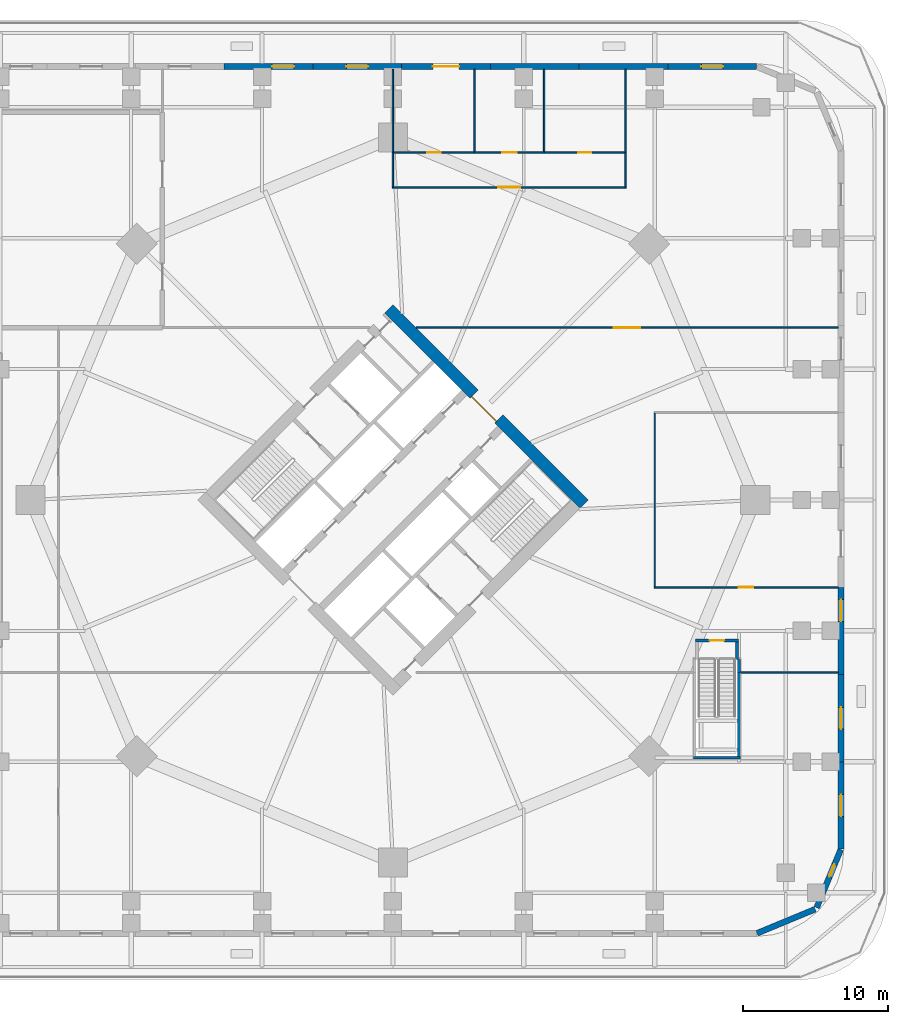
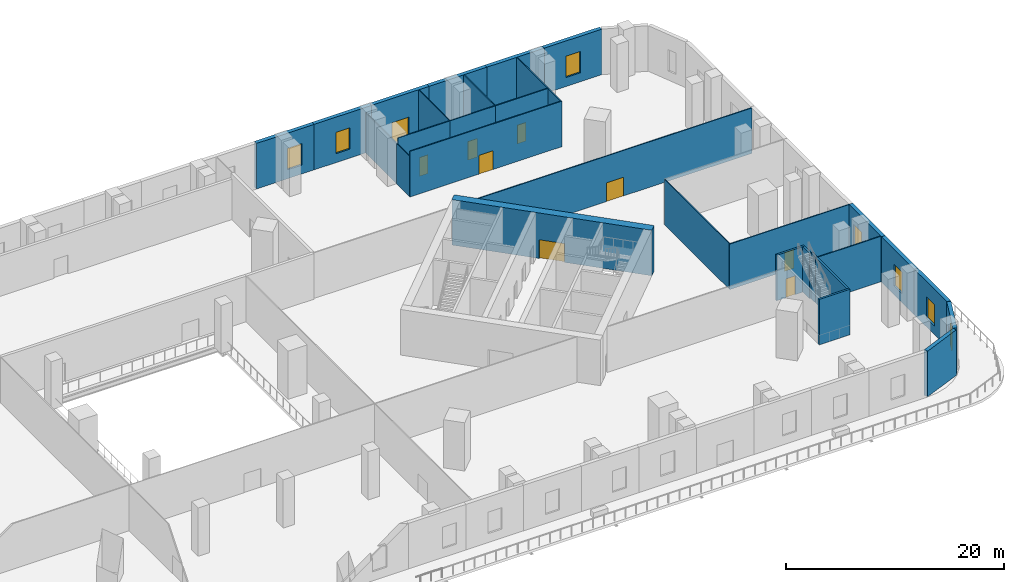
# One storey, part 10 of 19: 31 walls, 9 doors, 7 windows, 16 openings.
"""IFC4 building model written with IfcOpenShell, lengths in metres."""

from ifc_helpers import new_model, si_unit, direction, frame, frame_2d, origin, place, context, subcontext, project, spatial, rectangle, extrude, material, layer, layer_set, type_object, element, fill, save


model = new_model("IFC4")

# Units and contexts
model_context = context("Model", 3, precision=1e-05, world=origin(), true_north=direction((0.0, 1.0)))
body_context = subcontext(model_context, "Body", "Model", "MODEL_VIEW")
ifc_project = project(units=[si_unit("LENGTHUNIT", "METRE"), si_unit("AREAUNIT", "SQUARE_METRE"), si_unit("VOLUMEUNIT", "CUBIC_METRE"), si_unit("PLANEANGLEUNIT", "RADIAN"), si_unit("MASSUNIT", "GRAM", prefix="KILO")], contexts=[model_context])

# Site, building, storey
site_placement = place(None, origin())
site = spatial("IfcSite", under=ifc_project, at=site_placement, CompositionType="ELEMENT")
building_placement = place(site_placement, origin())
building = spatial("IfcBuilding", under=site, at=building_placement, Name="Ogive Gate Towers", CompositionType="ELEMENT")
storey_placement = place(building_placement, frame((0.0, 0.0, 12.60009765625)))
storey = spatial("IfcBuildingStorey", under=building, at=storey_placement, Name="L02", CompositionType="ELEMENT", Elevation=12.60009765625)

# Wall, opening, door
ifc_material_1 = material(Name="Concrete C60/75", Category="concrete")
ifc_layer_1 = layer(ifc_material_1, 0.800048828125)
ifc_layer_set_1 = layer_set([ifc_layer_1], Name="Core wall 800 mm")
wall_type_1 = type_object("IfcWallType", Name="Core wall 800 mm", PredefinedType="SHEAR", material=ifc_layer_set_1)
wall_1_placement = place(storey_placement, frame((49.152099609375, -0.28271484375, 0.0), z_axis=(0.0, 0.0, 1.0), x_axis=(-0.707106781187, 0.707106781187, 0.0)))
wall_1 = element("IfcWall", 1, at=wall_1_placement, inside=storey, type_object=wall_type_1, Name="T2 L02 Core wall 800 mm", PredefinedType="SHEAR", context=body_context, shape_type="SweptSolid", body=[
    extrude(rectangle(XDim=18.999755859375, YDim=0.800048828125, at=frame_2d((9.5, 0.0))), origin(), (0.0, 0.0, 1.0), 5.099853515625),
])
opening_1_placement = place(wall_1_placement, frame((8.300048828125, 0.0, 0.0)))
opening_1 = element("IfcOpeningElement", 2, at=opening_1_placement, cuts=wall_1, Name="Opening KD-T2-L02-02", PredefinedType="OPENING", context=body_context, shape_type="SweptSolid", body=[
    extrude(rectangle(XDim=2.39990234375, YDim=2.10009765625, at=frame_2d((1.199951171875, 1.050048828125))), frame((0.0, 0.41015625, 0.0), z_axis=(0.0, -1.0, 0.0), x_axis=(1.0, 0.0, 0.0)), (0.0, 0.0, 1.0), 0.820068359375),
])
ifc_material_2 = material(Name="Steel fire door", Category="steel")
door_type_1 = type_object("IfcDoorType", Name="Core double door FD60S 2400 x 2100", OperationType="DOUBLE_DOOR_SINGLE_SWING", PredefinedType="DOOR", material=ifc_material_2)
door_1_placement = place(opening_1_placement, origin())
door_1 = element("IfcDoor", 3, at=door_1_placement, inside=storey, type_object=door_type_1, Name="T2 L02 Core door double", OperationType="DOUBLE_DOOR_SINGLE_SWING", OverallHeight=2.10009765625, OverallWidth=2.39990234375, PredefinedType="DOOR", context=body_context, shape_type="SweptSolid", body=[
    extrude(rectangle(XDim=2.39990234375, YDim=2.10009765625, at=frame_2d((1.199951171875, 1.050048828125))), frame((0.0, 0.27490234375, 0.0), z_axis=(0.0, -1.0, 0.0), x_axis=(1.0, 0.0, 0.0)), (0.0, 0.0, 1.0), 0.050048828125),
])
fill(opening_1, door_1)

ifc_material_3 = material(Name="Gypsum board partition")
ifc_layer_2 = layer(ifc_material_3, 0.10009765625)
ifc_layer_set_2 = layer_set([ifc_layer_2], Name="Partition wall 100")
wall_type_2 = type_object("IfcWallType", Name="Partition wall 100", PredefinedType="PARTITIONING", material=ifc_layer_set_2)
wall_2_placement = place(storey_placement, frame((36.050048828125, 23.89990234375, 0.0), z_axis=(0.0, 0.0, 1.0), x_axis=(1.0, 0.0, 0.0)))
wall_2 = element("IfcWall", 4, at=wall_2_placement, inside=storey, type_object=wall_type_2, Name="L02 partition 035", PredefinedType="PARTITIONING", context=body_context, shape_type="SweptSolid", body=[
    extrude(rectangle(XDim=5.550048828125, YDim=0.10009765625, at=frame_2d((2.77490234375, 0.0))), origin(), (0.0, 0.0, 1.0), 5.099853515625),
])
opening_2_placement = place(wall_2_placement, frame((2.324951171875, 0.0, 0.0)))
opening_2 = element("IfcOpeningElement", 5, at=opening_2_placement, cuts=wall_2, Name="Opening PO168", PredefinedType="OPENING", context=body_context, shape_type="SweptSolid", body=[
    extrude(rectangle(XDim=0.89990234375, YDim=2.10009765625, at=frame_2d((0.449951171875, 1.050048828125))), frame((0.0, 0.06005859375, 0.0), z_axis=(0.0, -1.0, 0.0), x_axis=(1.0, 0.0, 0.0)), (0.0, 0.0, 1.0), 0.1201171875),
])
ifc_material_4 = material(Name="Timber door", Category="wood")
door_type_2 = type_object("IfcDoorType", Name="Door 900 x 2100", OperationType="NOTDEFINED", PredefinedType="DOOR", material=ifc_material_4)
door_2_placement = place(opening_2_placement, origin())
door_2 = element("IfcDoor", 6, at=door_2_placement, inside=storey, type_object=door_type_2, Name="Door PO168", OperationType="SINGLE_SWING_RIGHT", OverallHeight=2.10009765625, OverallWidth=0.89990234375, PredefinedType="DOOR", context=body_context, shape_type="SweptSolid", body=[
    extrude(rectangle(XDim=0.89990234375, YDim=2.10009765625, at=frame_2d((0.449951171875, 1.050048828125))), frame((0.0, 0.02490234375, 0.0), z_axis=(0.0, -1.0, 0.0), x_axis=(1.0, 0.0, 0.0)), (0.0, 0.0, 1.0), 0.050048828125),
])
fill(opening_2, door_2)

wall_3_placement = place(storey_placement, frame((41.60009765625, 23.89990234375, 0.0), z_axis=(0.0, 0.0, 1.0), x_axis=(1.0, 0.0, 0.0)))
wall_3 = element("IfcWall", 7, at=wall_3_placement, inside=storey, type_object=wall_type_2, Name="L02 partition 036", PredefinedType="PARTITIONING", context=body_context, shape_type="SweptSolid", body=[
    extrude(rectangle(XDim=4.7998046875, YDim=0.10009765625, at=frame_2d((2.39990234375, 0.0))), origin(), (0.0, 0.0, 1.0), 5.099853515625),
])
opening_3_placement = place(wall_3_placement, frame((1.89990234375, 0.0, 0.0)))
opening_3 = element("IfcOpeningElement", 8, at=opening_3_placement, cuts=wall_3, Name="Opening PO169", PredefinedType="OPENING", context=body_context, shape_type="SweptSolid", body=[
    extrude(rectangle(XDim=1.0, YDim=2.10009765625, at=frame_2d((0.5, 1.050048828125))), frame((0.0, 0.06005859375, 0.0), z_axis=(0.0, -1.0, 0.0), x_axis=(1.0, 0.0, 0.0)), (0.0, 0.0, 1.0), 0.1201171875),
])
door_type_3 = type_object("IfcDoorType", Name="Door 1000 x 2100", OperationType="NOTDEFINED", PredefinedType="DOOR", material=ifc_material_4)
door_3_placement = place(opening_3_placement, origin())
door_3 = element("IfcDoor", 9, at=door_3_placement, inside=storey, type_object=door_type_3, Name="Door PO169", OperationType="SINGLE_SWING_LEFT", OverallHeight=2.10009765625, OverallWidth=1.0, PredefinedType="DOOR", context=body_context, shape_type="SweptSolid", body=[
    extrude(rectangle(XDim=1.0, YDim=2.10009765625, at=frame_2d((0.5, 1.050048828125))), frame((0.0, 0.02490234375, 0.0), z_axis=(0.0, -1.0, 0.0), x_axis=(1.0, 0.0, 0.0)), (0.0, 0.0, 1.0), 0.050048828125),
])
fill(opening_3, door_3)

wall_4_placement = place(storey_placement, frame((46.39990234375, 23.89990234375, 0.0), z_axis=(0.0, 0.0, 1.0), x_axis=(1.0, 0.0, 0.0)))
wall_4 = element("IfcWall", 10, at=wall_4_placement, inside=storey, type_object=wall_type_2, Name="L02 partition 037", PredefinedType="PARTITIONING", context=body_context, shape_type="SweptSolid", body=[
    extrude(rectangle(XDim=5.550048828125, YDim=0.10009765625, at=frame_2d((2.77490234375, 0.0))), origin(), (0.0, 0.0, 1.0), 5.099853515625),
])
opening_4_placement = place(wall_4_placement, frame((2.324951171875, 0.0, 0.0)))
opening_4 = element("IfcOpeningElement", 11, at=opening_4_placement, cuts=wall_4, Name="Opening PO170", PredefinedType="OPENING", context=body_context, shape_type="SweptSolid", body=[
    extrude(rectangle(XDim=0.89990234375, YDim=2.10009765625, at=frame_2d((0.449951171875, 1.050048828125))), frame((0.0, 0.06005859375, 0.0), z_axis=(0.0, -1.0, 0.0), x_axis=(1.0, 0.0, 0.0)), (0.0, 0.0, 1.0), 0.1201171875),
])
door_4_placement = place(opening_4_placement, origin())
door_4 = element("IfcDoor", 12, at=door_4_placement, inside=storey, type_object=door_type_2, Name="Door PO170", OperationType="SINGLE_SWING_RIGHT", OverallHeight=2.10009765625, OverallWidth=0.89990234375, PredefinedType="DOOR", context=body_context, shape_type="SweptSolid", body=[
    extrude(rectangle(XDim=0.89990234375, YDim=2.10009765625, at=frame_2d((0.449951171875, 1.050048828125))), frame((0.0, 0.02490234375, 0.0), z_axis=(0.0, -1.0, 0.0), x_axis=(1.0, 0.0, 0.0)), (0.0, 0.0, 1.0), 0.050048828125),
])
fill(opening_4, door_4)

wall_5_placement = place(storey_placement, frame((35.949951171875, 21.5, 0.0), z_axis=(0.0, 0.0, 1.0), x_axis=(1.0, 0.0, 0.0)))
wall_5 = element("IfcWall", 13, at=wall_5_placement, inside=storey, type_object=wall_type_2, Name="L02 partition 038", PredefinedType="PARTITIONING", context=body_context, shape_type="SweptSolid", body=[
    extrude(rectangle(XDim=16.10009765625, YDim=0.10009765625, at=frame_2d((8.050048828125, 0.0))), origin(), (0.0, 0.0, 1.0), 5.099853515625),
])
opening_5_placement = place(wall_5_placement, frame((7.300048828125, 0.0, 0.0)))
opening_5 = element("IfcOpeningElement", 14, at=opening_5_placement, cuts=wall_5, Name="Opening PO167", PredefinedType="OPENING", context=body_context, shape_type="SweptSolid", body=[
    extrude(rectangle(XDim=1.5, YDim=2.10009765625, at=frame_2d((0.75, 1.050048828125))), frame((0.0, 0.06005859375, 0.0), z_axis=(0.0, -1.0, 0.0), x_axis=(1.0, 0.0, 0.0)), (0.0, 0.0, 1.0), 0.1201171875),
])
door_type_4 = type_object("IfcDoorType", Name="Double door 1500 x 2100", OperationType="NOTDEFINED", PredefinedType="DOOR", material=ifc_material_4)
door_5_placement = place(opening_5_placement, origin())
door_5 = element("IfcDoor", 15, at=door_5_placement, inside=storey, type_object=door_type_4, Name="Door PO167", OperationType="DOUBLE_DOOR_DOUBLE_SWING", OverallHeight=2.10009765625, OverallWidth=1.5, PredefinedType="DOOR", context=body_context, shape_type="SweptSolid", body=[
    extrude(rectangle(XDim=1.5, YDim=2.10009765625, at=frame_2d((0.75, 1.050048828125))), frame((0.0, 0.02490234375, 0.0), z_axis=(0.0, -1.0, 0.0), x_axis=(1.0, 0.0, 0.0)), (0.0, 0.0, 1.0), 0.050048828125),
])
fill(opening_5, door_5)

# Walls
wall_6_placement = place(storey_placement, frame((36.0, 21.550048828125, 0.0), z_axis=(0.0, 0.0, 1.0), x_axis=(0.0, 1.0, 0.0)))
element("IfcWall", 16, at=wall_6_placement, inside=storey, type_object=wall_type_2, Name="L02 partition 039", PredefinedType="PARTITIONING", context=body_context, shape_type="SweptSolid", body=[
    extrude(rectangle(XDim=2.349853515625, YDim=0.10009765625, at=frame_2d((1.1748046875, 0.0))), origin(), (0.0, 0.0, 1.0), 4.5),
])
wall_7_placement = place(storey_placement, frame((52.0, 21.550048828125, 0.0), z_axis=(0.0, 0.0, 1.0), x_axis=(0.0, 1.0, 0.0)))
element("IfcWall", 17, at=wall_7_placement, inside=storey, type_object=wall_type_2, Name="L02 partition 040", PredefinedType="PARTITIONING", context=body_context, shape_type="SweptSolid", body=[
    extrude(rectangle(XDim=2.349853515625, YDim=0.10009765625, at=frame_2d((1.1748046875, 0.0))), origin(), (0.0, 0.0, 1.0), 5.099853515625),
])
wall_8_placement = place(storey_placement, frame((41.60009765625, 23.949951171875, 0.0), z_axis=(0.0, 0.0, 1.0), x_axis=(0.0, 1.0, 0.0)))
element("IfcWall", 18, at=wall_8_placement, inside=storey, type_object=wall_type_2, Name="L02 partition 041", PredefinedType="PARTITIONING", context=body_context, shape_type="SweptSolid", body=[
    extrude(rectangle(XDim=5.650146484375, YDim=0.10009765625, at=frame_2d((2.8251953125, 0.0))), origin(), (0.0, 0.0, 1.0), 5.099853515625),
])
wall_9_placement = place(storey_placement, frame((36.0, 23.89990234375, 0.0), z_axis=(0.0, 0.0, 1.0), x_axis=(0.0, 1.0, 0.0)))
element("IfcWall", 19, at=wall_9_placement, inside=storey, type_object=wall_type_2, Name="L02 partition 042", PredefinedType="PARTITIONING", context=body_context, shape_type="SweptSolid", body=[
    extrude(rectangle(XDim=5.7001953125, YDim=0.10009765625, at=frame_2d((2.85009765625, 0.0))), origin(), (0.0, 0.0, 1.0), 4.5),
])
wall_10_placement = place(storey_placement, frame((46.39990234375, 23.949951171875, 0.0), z_axis=(0.0, 0.0, 1.0), x_axis=(0.0, 1.0, 0.0)))
element("IfcWall", 20, at=wall_10_placement, inside=storey, type_object=wall_type_2, Name="L02 partition 043", PredefinedType="PARTITIONING", context=body_context, shape_type="SweptSolid", body=[
    extrude(rectangle(XDim=5.650146484375, YDim=0.10009765625, at=frame_2d((2.8251953125, 0.0))), origin(), (0.0, 0.0, 1.0), 5.099853515625),
])
wall_11_placement = place(storey_placement, frame((52.0, 23.89990234375, 0.0), z_axis=(0.0, 0.0, 1.0), x_axis=(0.0, 1.0, 0.0)))
element("IfcWall", 21, at=wall_11_placement, inside=storey, type_object=wall_type_2, Name="L02 partition 044", PredefinedType="PARTITIONING", context=body_context, shape_type="SweptSolid", body=[
    extrude(rectangle(XDim=5.7001953125, YDim=0.10009765625, at=frame_2d((2.85009765625, 0.0))), origin(), (0.0, 0.0, 1.0), 5.099853515625),
])

# Wall, opening, door
wall_12_placement = place(storey_placement, frame((37.5849609375, 11.85009765625, 0.0), z_axis=(0.0, 0.0, 1.0), x_axis=(1.0, 0.0, 0.0)))
wall_12 = element("IfcWall", 22, at=wall_12_placement, inside=storey, type_object=wall_type_2, Name="L02 partition 048", PredefinedType="PARTITIONING", context=body_context, shape_type="SweptSolid", body=[
    extrude(rectangle(XDim=29.01513671875, YDim=0.10009765625, at=frame_2d((14.507568359375, 0.0))), origin(), (0.0, 0.0, 1.0), 5.099853515625),
])
opening_6_placement = place(wall_12_placement, frame((13.607421875, 0.0, 0.0)))
opening_6 = element("IfcOpeningElement", 23, at=opening_6_placement, cuts=wall_12, Name="Opening PO178", PredefinedType="OPENING", context=body_context, shape_type="SweptSolid", body=[
    extrude(rectangle(XDim=1.800048828125, YDim=2.10009765625, at=frame_2d((0.89990234375, 1.050048828125))), frame((0.0, 0.06005859375, 0.0), z_axis=(0.0, -1.0, 0.0), x_axis=(1.0, 0.0, 0.0)), (0.0, 0.0, 1.0), 0.1201171875),
])
door_type_5 = type_object("IfcDoorType", Name="Double door 1800 x 2100", OperationType="NOTDEFINED", PredefinedType="DOOR", material=ifc_material_4)
door_6_placement = place(opening_6_placement, origin())
door_6 = element("IfcDoor", 24, at=door_6_placement, inside=storey, type_object=door_type_5, Name="Door PO178", OperationType="DOUBLE_DOOR_DOUBLE_SWING", OverallHeight=2.10009765625, OverallWidth=1.800048828125, PredefinedType="DOOR", context=body_context, shape_type="SweptSolid", body=[
    extrude(rectangle(XDim=1.800048828125, YDim=2.10009765625, at=frame_2d((0.89990234375, 1.050048828125))), frame((0.0, 0.02490234375, 0.0), z_axis=(0.0, -1.0, 0.0), x_axis=(1.0, 0.0, 0.0)), (0.0, 0.0, 1.0), 0.050048828125),
])
fill(opening_6, door_6)

# Wall
wall_13_placement = place(storey_placement, frame((59.89990234375, -11.85009765625, 0.0), z_axis=(0.0, 0.0, 1.0), x_axis=(1.0, 0.0, 0.0)))
element("IfcWall", 25, at=wall_13_placement, inside=storey, type_object=wall_type_2, Name="L02 partition 057", PredefinedType="PARTITIONING", context=body_context, shape_type="SweptSolid", body=[
    extrude(rectangle(XDim=6.7001953125, YDim=0.10009765625, at=frame_2d((3.35009765625, 0.0))), origin(), (0.0, 0.0, 1.0), 5.099853515625),
])

# Wall, opening, door
wall_14_placement = place(storey_placement, frame((53.949951171875, -6.0, 0.0), z_axis=(0.0, 0.0, 1.0), x_axis=(1.0, 0.0, 0.0)))
wall_14 = element("IfcWall", 26, at=wall_14_placement, inside=storey, type_object=wall_type_2, Name="L02 partition 061", PredefinedType="PARTITIONING", context=body_context, shape_type="SweptSolid", body=[
    extrude(rectangle(XDim=12.650146484375, YDim=0.10009765625, at=frame_2d((6.3251953125, 0.0))), origin(), (0.0, 0.0, 1.0), 5.099853515625),
])
opening_7_placement = place(wall_14_placement, frame((5.824951171875, 0.0, 0.0)))
opening_7 = element("IfcOpeningElement", 27, at=opening_7_placement, cuts=wall_14, Name="Opening PO175", PredefinedType="OPENING", context=body_context, shape_type="SweptSolid", body=[
    extrude(rectangle(XDim=1.0, YDim=2.10009765625, at=frame_2d((0.5, 1.050048828125))), frame((0.0, 0.06005859375, 0.0), z_axis=(0.0, -1.0, 0.0), x_axis=(1.0, 0.0, 0.0)), (0.0, 0.0, 1.0), 0.1201171875),
])
door_7_placement = place(opening_7_placement, origin())
door_7 = element("IfcDoor", 28, at=door_7_placement, inside=storey, type_object=door_type_3, Name="Door PO175", OperationType="SINGLE_SWING_LEFT", OverallHeight=2.10009765625, OverallWidth=1.0, PredefinedType="DOOR", context=body_context, shape_type="SweptSolid", body=[
    extrude(rectangle(XDim=1.0, YDim=2.10009765625, at=frame_2d((0.5, 1.050048828125))), frame((0.0, 0.02490234375, 0.0), z_axis=(0.0, -1.0, 0.0), x_axis=(1.0, 0.0, 0.0)), (0.0, 0.0, 1.0), 0.050048828125),
])
fill(opening_7, door_7)

# Walls
wall_15_placement = place(storey_placement, frame((54.0, -5.949951171875, 0.0), z_axis=(0.0, 0.0, 1.0), x_axis=(0.0, 1.0, 0.0)))
element("IfcWall", 29, at=wall_15_placement, inside=storey, type_object=wall_type_2, Name="L02 partition 063", PredefinedType="PARTITIONING", context=body_context, shape_type="SweptSolid", body=[
    extrude(rectangle(XDim=11.89990234375, YDim=0.10009765625, at=frame_2d((5.949951171875, 0.0))), origin(), (0.0, 0.0, 1.0), 5.099853515625),
])
ifc_material_5 = material(Name="Precast concrete C40/50", Category="concrete")
ifc_layer_3 = layer(ifc_material_5, 0.39990234375)
ifc_layer_set_3 = layer_set([ifc_layer_3], Name="Podium wall 400")
wall_type_3 = type_object("IfcWallType", Name="Podium wall 400", PredefinedType="SOLIDWALL", material=ifc_layer_set_3)
wall_16_placement = place(storey_placement, frame((61.036865234375, -29.784912109375, 0.0), z_axis=(0.0, 0.0, 1.0), x_axis=(0.923854820772, 0.382743086333, 0.0)))
element("IfcWall", 30, at=wall_16_placement, inside=storey, type_object=wall_type_3, Name="Podium wall", PredefinedType="SOLIDWALL", context=body_context, shape_type="SweptSolid", body=[
    extrude(rectangle(XDim=4.31640625, YDim=0.39990234375, at=frame_2d((2.158203125, 0.0))), origin(), (0.0, 0.0, 1.0), 5.099853515625),
])

# Wall, opening, window
wall_17_placement = place(storey_placement, frame((65.1328125, -28.024658203125, 0.0), z_axis=(0.0, 0.0, 1.0), x_axis=(0.382743086333, 0.923854820772, 0.0)))
wall_17 = element("IfcWall", 31, at=wall_17_placement, inside=storey, type_object=wall_type_3, Name="Podium wall", PredefinedType="SOLIDWALL", context=body_context, shape_type="SweptSolid", body=[
    extrude(rectangle(XDim=4.31640625, YDim=0.39990234375, at=frame_2d((2.158203125, 0.0))), origin(), (0.0, 0.0, 1.0), 5.099853515625),
])
opening_8_placement = place(wall_17_placement, frame((2.308349609375, 0.0, 1.0)))
opening_8 = element("IfcOpeningElement", 32, at=opening_8_placement, cuts=wall_17, Name="Opening WN5", PredefinedType="OPENING", context=body_context, shape_type="SweptSolid", body=[
    extrude(rectangle(XDim=0.89990234375, YDim=2.39990234375, at=frame_2d((0.449951171875, 1.199951171875))), frame((0.0, 0.2099609375, 0.0), z_axis=(0.0, -1.0, 0.0), x_axis=(1.0, 0.0, 0.0)), (0.0, 0.0, 1.0), 0.419921875),
])
ifc_material_6 = material(Name="Clear glass", Category="glass")
window_type_1 = type_object("IfcWindowType", Name="Narrow window 900 x 2400", PartitioningType="SINGLE_PANEL", PredefinedType="WINDOW", material=ifc_material_6)
window_1_placement = place(opening_8_placement, origin())
window_1 = element("IfcWindow", 33, at=window_1_placement, inside=storey, type_object=window_type_1, Name="Podium window", OverallHeight=2.39990234375, OverallWidth=0.89990234375, PartitioningType="SINGLE_PANEL", PredefinedType="WINDOW", context=body_context, shape_type="SweptSolid", body=[
    extrude(rectangle(XDim=0.89990234375, YDim=2.39990234375, at=frame_2d((0.449951171875, 1.199951171875))), frame((0.0, 0.030029296875, 0.0), z_axis=(0.0, -1.0, 0.0), x_axis=(1.0, 0.0, 0.0)), (0.0, 0.0, 1.0), 0.06005859375),
])
fill(opening_8, window_1)

wall_18_placement = place(storey_placement, frame((66.800048828125, -24.0, 0.0), z_axis=(0.0, 0.0, 1.0), x_axis=(0.0, 1.0, 0.0)))
wall_18 = element("IfcWall", 34, at=wall_18_placement, inside=storey, type_object=wall_type_3, Name="Podium wall", PredefinedType="SOLIDWALL", context=body_context, shape_type="SweptSolid", body=[
    extrude(rectangle(XDim=6.0, YDim=0.39990234375, at=frame_2d((3.0, 0.0))), origin(), (0.0, 0.0, 1.0), 5.099853515625),
])
opening_9_placement = place(wall_18_placement, frame((2.25, 0.0, 1.0)))
opening_9 = element("IfcOpeningElement", 35, at=opening_9_placement, cuts=wall_18, Name="Opening WN2", PredefinedType="OPENING", context=body_context, shape_type="SweptSolid", body=[
    extrude(rectangle(XDim=1.5, YDim=2.39990234375, at=frame_2d((0.75, 1.199951171875))), frame((0.0, 0.2099609375, 0.0), z_axis=(0.0, -1.0, 0.0), x_axis=(1.0, 0.0, 0.0)), (0.0, 0.0, 1.0), 0.419921875),
])
window_type_2 = type_object("IfcWindowType", Name="Podium window 1500 x 2400", PartitioningType="SINGLE_PANEL", PredefinedType="WINDOW", material=ifc_material_6)
window_2_placement = place(opening_9_placement, origin())
window_2 = element("IfcWindow", 36, at=window_2_placement, inside=storey, type_object=window_type_2, Name="Podium window", OverallHeight=2.39990234375, OverallWidth=1.5, PartitioningType="SINGLE_PANEL", PredefinedType="WINDOW", context=body_context, shape_type="SweptSolid", body=[
    extrude(rectangle(XDim=1.5, YDim=2.39990234375, at=frame_2d((0.75, 1.199951171875))), frame((0.0, 0.030029296875, 0.0), z_axis=(0.0, -1.0, 0.0), x_axis=(1.0, 0.0, 0.0)), (0.0, 0.0, 1.0), 0.06005859375),
])
fill(opening_9, window_2)

wall_19_placement = place(storey_placement, frame((66.800048828125, -18.0, 0.0), z_axis=(0.0, 0.0, 1.0), x_axis=(0.0, 1.0, 0.0)))
wall_19 = element("IfcWall", 37, at=wall_19_placement, inside=storey, type_object=wall_type_3, Name="Podium wall", PredefinedType="SOLIDWALL", context=body_context, shape_type="SweptSolid", body=[
    extrude(rectangle(XDim=6.0, YDim=0.39990234375, at=frame_2d((3.0, 0.0))), origin(), (0.0, 0.0, 1.0), 5.099853515625),
])
opening_10_placement = place(wall_19_placement, frame((2.25, 0.0, 1.0)))
opening_10 = element("IfcOpeningElement", 38, at=opening_10_placement, cuts=wall_19, Name="Opening WN2", PredefinedType="OPENING", context=body_context, shape_type="SweptSolid", body=[
    extrude(rectangle(XDim=1.5, YDim=2.39990234375, at=frame_2d((0.75, 1.199951171875))), frame((0.0, 0.2099609375, 0.0), z_axis=(0.0, -1.0, 0.0), x_axis=(1.0, 0.0, 0.0)), (0.0, 0.0, 1.0), 0.419921875),
])
window_3_placement = place(opening_10_placement, origin())
window_3 = element("IfcWindow", 39, at=window_3_placement, inside=storey, type_object=window_type_2, Name="Podium window", OverallHeight=2.39990234375, OverallWidth=1.5, PartitioningType="SINGLE_PANEL", PredefinedType="WINDOW", context=body_context, shape_type="SweptSolid", body=[
    extrude(rectangle(XDim=1.5, YDim=2.39990234375, at=frame_2d((0.75, 1.199951171875))), frame((0.0, 0.030029296875, 0.0), z_axis=(0.0, -1.0, 0.0), x_axis=(1.0, 0.0, 0.0)), (0.0, 0.0, 1.0), 0.06005859375),
])
fill(opening_10, window_3)

wall_20_placement = place(storey_placement, frame((66.800048828125, -12.0, 0.0), z_axis=(0.0, 0.0, 1.0), x_axis=(0.0, 1.0, 0.0)))
wall_20 = element("IfcWall", 40, at=wall_20_placement, inside=storey, type_object=wall_type_3, Name="Podium wall", PredefinedType="SOLIDWALL", context=body_context, shape_type="SweptSolid", body=[
    extrude(rectangle(XDim=6.0, YDim=0.39990234375, at=frame_2d((3.0, 0.0))), origin(), (0.0, 0.0, 1.0), 5.099853515625),
])
opening_11_placement = place(wall_20_placement, frame((3.64990234375, 0.0, 1.0)))
opening_11 = element("IfcOpeningElement", 41, at=opening_11_placement, cuts=wall_20, Name="Opening WN2", PredefinedType="OPENING", context=body_context, shape_type="SweptSolid", body=[
    extrude(rectangle(XDim=1.5, YDim=2.39990234375, at=frame_2d((0.75, 1.199951171875))), frame((0.0, 0.2099609375, 0.0), z_axis=(0.0, -1.0, 0.0), x_axis=(1.0, 0.0, 0.0)), (0.0, 0.0, 1.0), 0.419921875),
])
window_4_placement = place(opening_11_placement, origin())
window_4 = element("IfcWindow", 42, at=window_4_placement, inside=storey, type_object=window_type_2, Name="Podium window", OverallHeight=2.39990234375, OverallWidth=1.5, PartitioningType="SINGLE_PANEL", PredefinedType="WINDOW", context=body_context, shape_type="SweptSolid", body=[
    extrude(rectangle(XDim=1.5, YDim=2.39990234375, at=frame_2d((0.75, 1.199951171875))), frame((0.0, 0.030029296875, 0.0), z_axis=(0.0, -1.0, 0.0), x_axis=(1.0, 0.0, 0.0)), (0.0, 0.0, 1.0), 0.06005859375),
])
fill(opening_11, window_4)

wall_21_placement = place(storey_placement, frame((61.0, 29.800048828125, 0.0), z_axis=(0.0, 0.0, 1.0), x_axis=(-1.0, 0.0, 0.0)))
wall_21 = element("IfcWall", 43, at=wall_21_placement, inside=storey, type_object=wall_type_3, Name="Podium wall", PredefinedType="SOLIDWALL", context=body_context, shape_type="SweptSolid", body=[
    extrude(rectangle(XDim=6.10009765625, YDim=0.39990234375, at=frame_2d((3.050048828125, 0.0))), origin(), (0.0, 0.0, 1.0), 5.099853515625),
])
opening_12_placement = place(wall_21_placement, frame((2.300048828125, 0.0, 1.0)))
opening_12 = element("IfcOpeningElement", 44, at=opening_12_placement, cuts=wall_21, Name="Opening WN2", PredefinedType="OPENING", context=body_context, shape_type="SweptSolid", body=[
    extrude(rectangle(XDim=1.5, YDim=2.39990234375, at=frame_2d((0.75, 1.199951171875))), frame((0.0, 0.2099609375, 0.0), z_axis=(0.0, -1.0, 0.0), x_axis=(1.0, 0.0, 0.0)), (0.0, 0.0, 1.0), 0.419921875),
])
window_5_placement = place(opening_12_placement, origin())
window_5 = element("IfcWindow", 45, at=window_5_placement, inside=storey, type_object=window_type_2, Name="Podium window", OverallHeight=2.39990234375, OverallWidth=1.5, PartitioningType="SINGLE_PANEL", PredefinedType="WINDOW", context=body_context, shape_type="SweptSolid", body=[
    extrude(rectangle(XDim=1.5, YDim=2.39990234375, at=frame_2d((0.75, 1.199951171875))), frame((0.0, 0.030029296875, 0.0), z_axis=(0.0, -1.0, 0.0), x_axis=(1.0, 0.0, 0.0)), (0.0, 0.0, 1.0), 0.06005859375),
])
fill(opening_12, window_5)

# Walls
wall_22_placement = place(storey_placement, frame((54.89990234375, 29.800048828125, 0.0), z_axis=(0.0, 0.0, 1.0), x_axis=(-1.0, 0.0, 0.0)))
element("IfcWall", 46, at=wall_22_placement, inside=storey, type_object=wall_type_3, Name="Podium wall", PredefinedType="SOLIDWALL", context=body_context, shape_type="SweptSolid", body=[
    extrude(rectangle(XDim=6.099853515625, YDim=0.39990234375, at=frame_2d((3.0498046875, 0.0))), origin(), (0.0, 0.0, 1.0), 5.099853515625),
])
wall_23_placement = place(storey_placement, frame((48.800048828125, 29.800048828125, 0.0), z_axis=(0.0, 0.0, 1.0), x_axis=(-1.0, 0.0, 0.0)))
element("IfcWall", 47, at=wall_23_placement, inside=storey, type_object=wall_type_3, Name="Podium wall", PredefinedType="SOLIDWALL", context=body_context, shape_type="SweptSolid", body=[
    extrude(rectangle(XDim=6.10009765625, YDim=0.39990234375, at=frame_2d((3.050048828125, 0.0))), origin(), (0.0, 0.0, 1.0), 5.099853515625),
])

# Wall, opening, door
wall_24_placement = place(storey_placement, frame((42.699951171875, 29.800048828125, 0.0), z_axis=(0.0, 0.0, 1.0), x_axis=(-1.0, 0.0, 0.0)))
wall_24 = element("IfcWall", 48, at=wall_24_placement, inside=storey, type_object=wall_type_3, Name="Podium wall", PredefinedType="SOLIDWALL", context=body_context, shape_type="SweptSolid", body=[
    extrude(rectangle(XDim=6.099853515625, YDim=0.39990234375, at=frame_2d((3.0498046875, 0.0))), origin(), (0.0, 0.0, 1.0), 5.099853515625),
])
opening_13_placement = place(wall_24_placement, frame((2.14990234375, 0.0, 0.0)))
opening_13 = element("IfcOpeningElement", 49, at=opening_13_placement, cuts=wall_24, Name="Opening ED3-L02-02", PredefinedType="OPENING", context=body_context, shape_type="SweptSolid", body=[
    extrude(rectangle(XDim=1.800048828125, YDim=2.39990234375, at=frame_2d((0.89990234375, 1.199951171875))), frame((0.0, 0.2099609375, 0.0), z_axis=(0.0, -1.0, 0.0), x_axis=(1.0, 0.0, 0.0)), (0.0, 0.0, 1.0), 0.419921875),
])
ifc_material_7 = material(Name="Pale metal aluminium", Category="aluminium")
door_type_6 = type_object("IfcDoorType", Name="Terrace door 1800 x 2400", OperationType="DOUBLE_DOOR_SINGLE_SWING", PredefinedType="DOOR", material=ifc_material_7)
door_8_placement = place(opening_13_placement, origin())
door_8 = element("IfcDoor", 50, at=door_8_placement, inside=storey, type_object=door_type_6, Name="Exterior door", OperationType="SINGLE_SWING_LEFT", OverallHeight=2.39990234375, OverallWidth=1.800048828125, PredefinedType="DOOR", context=body_context, shape_type="SweptSolid", body=[
    extrude(rectangle(XDim=1.800048828125, YDim=2.39990234375, at=frame_2d((0.89990234375, 1.199951171875))), frame((0.0, 0.02490234375, 0.0), z_axis=(0.0, -1.0, 0.0), x_axis=(1.0, 0.0, 0.0)), (0.0, 0.0, 1.0), 0.050048828125),
])
fill(opening_13, door_8)

# Wall, opening, window
wall_25_placement = place(storey_placement, frame((36.60009765625, 29.800048828125, 0.0), z_axis=(0.0, 0.0, 1.0), x_axis=(-1.0, 0.0, 0.0)))
wall_25 = element("IfcWall", 51, at=wall_25_placement, inside=storey, type_object=wall_type_3, Name="Podium wall", PredefinedType="SOLIDWALL", context=body_context, shape_type="SweptSolid", body=[
    extrude(rectangle(XDim=6.10009765625, YDim=0.39990234375, at=frame_2d((3.050048828125, 0.0))), origin(), (0.0, 0.0, 1.0), 5.099853515625),
])
opening_14_placement = place(wall_25_placement, frame((2.300048828125, 0.0, 1.0)))
opening_14 = element("IfcOpeningElement", 52, at=opening_14_placement, cuts=wall_25, Name="Opening WN2", PredefinedType="OPENING", context=body_context, shape_type="SweptSolid", body=[
    extrude(rectangle(XDim=1.5, YDim=2.39990234375, at=frame_2d((0.75, 1.199951171875))), frame((0.0, 0.2099609375, 0.0), z_axis=(0.0, -1.0, 0.0), x_axis=(1.0, 0.0, 0.0)), (0.0, 0.0, 1.0), 0.419921875),
])
window_6_placement = place(opening_14_placement, origin())
window_6 = element("IfcWindow", 53, at=window_6_placement, inside=storey, type_object=window_type_2, Name="Podium window", OverallHeight=2.39990234375, OverallWidth=1.5, PartitioningType="SINGLE_PANEL", PredefinedType="WINDOW", context=body_context, shape_type="SweptSolid", body=[
    extrude(rectangle(XDim=1.5, YDim=2.39990234375, at=frame_2d((0.75, 1.199951171875))), frame((0.0, 0.030029296875, 0.0), z_axis=(0.0, -1.0, 0.0), x_axis=(1.0, 0.0, 0.0)), (0.0, 0.0, 1.0), 0.06005859375),
])
fill(opening_14, window_6)

wall_26_placement = place(storey_placement, frame((30.5, 29.800048828125, 0.0), z_axis=(0.0, 0.0, 1.0), x_axis=(-1.0, 0.0, 0.0)))
wall_26 = element("IfcWall", 54, at=wall_26_placement, inside=storey, type_object=wall_type_3, Name="Podium wall", PredefinedType="SOLIDWALL", context=body_context, shape_type="SweptSolid", body=[
    extrude(rectangle(XDim=6.10009765625, YDim=0.39990234375, at=frame_2d((3.050048828125, 0.0))), origin(), (0.0, 0.0, 1.0), 5.099853515625),
])
opening_15_placement = place(wall_26_placement, frame((1.300048828125, 0.0, 1.0)))
opening_15 = element("IfcOpeningElement", 55, at=opening_15_placement, cuts=wall_26, Name="Opening WN2", PredefinedType="OPENING", context=body_context, shape_type="SweptSolid", body=[
    extrude(rectangle(XDim=1.5, YDim=2.39990234375, at=frame_2d((0.75, 1.199951171875))), frame((0.0, 0.2099609375, 0.0), z_axis=(0.0, -1.0, 0.0), x_axis=(1.0, 0.0, 0.0)), (0.0, 0.0, 1.0), 0.419921875),
])
window_7_placement = place(opening_15_placement, origin())
window_7 = element("IfcWindow", 56, at=window_7_placement, inside=storey, type_object=window_type_2, Name="Podium window", OverallHeight=2.39990234375, OverallWidth=1.5, PartitioningType="SINGLE_PANEL", PredefinedType="WINDOW", context=body_context, shape_type="SweptSolid", body=[
    extrude(rectangle(XDim=1.5, YDim=2.39990234375, at=frame_2d((0.75, 1.199951171875))), frame((0.0, 0.030029296875, 0.0), z_axis=(0.0, -1.0, 0.0), x_axis=(1.0, 0.0, 0.0)), (0.0, 0.0, 1.0), 0.06005859375),
])
fill(opening_15, window_7)

# Walls
ifc_material_8 = material(Name="Reinforced concrete C32/40", Category="concrete")
ifc_layer_4 = layer(ifc_material_8, 0.199951171875)
ifc_layer_set_4 = layer_set([ifc_layer_4], Name="Stair shaft wall 200")
wall_type_4 = type_object("IfcWallType", Name="Stair shaft wall 200", PredefinedType="SOLIDWALL", material=ifc_layer_set_4)
wall_27_placement = place(storey_placement, frame((56.64990234375, -17.719970703125, 0.0), z_axis=(0.0, 0.0, 1.0), x_axis=(1.0, 0.0, 0.0)))
element("IfcWall", 57, at=wall_27_placement, inside=storey, type_object=wall_type_4, Name="L02 stair shaft wall 009", PredefinedType="SOLIDWALL", context=body_context, shape_type="SweptSolid", body=[
    extrude(rectangle(XDim=3.25, YDim=0.199951171875, at=frame_2d((1.625, 0.0))), origin(), (0.0, 0.0, 1.0), 5.099853515625),
])
wall_28_placement = place(storey_placement, frame((59.800048828125, -17.6201171875, 0.0), z_axis=(0.0, 0.0, 1.0), x_axis=(0.0, 1.0, 0.0)))
element("IfcWall", 58, at=wall_28_placement, inside=storey, type_object=wall_type_4, Name="L02 stair shaft wall 011", PredefinedType="SOLIDWALL", context=body_context, shape_type="SweptSolid", body=[
    extrude(rectangle(XDim=5.77001953125, YDim=0.199951171875, at=frame_2d((2.885009765625, 0.0))), origin(), (0.0, 0.0, 1.0), 5.099853515625),
])

# Wall, opening, door
wall_29_placement = place(storey_placement, frame((56.800048828125, -9.64990234375, 0.0), z_axis=(0.0, 0.0, 1.0), x_axis=(1.0, 0.0, 0.0)))
wall_29 = element("IfcWall", 59, at=wall_29_placement, inside=storey, type_object=wall_type_4, Name="L02 stair shaft wall 012", PredefinedType="SOLIDWALL", context=body_context, shape_type="SweptSolid", body=[
    extrude(rectangle(XDim=2.949951171875, YDim=0.199951171875, at=frame_2d((1.47509765625, 0.0))), origin(), (0.0, 0.0, 1.0), 5.099853515625),
])
opening_16_placement = place(wall_29_placement, frame((0.97509765625, 0.0, 0.0)))
opening_16 = element("IfcOpeningElement", 60, at=opening_16_placement, cuts=wall_29, Name="Opening PO155", PredefinedType="OPENING", context=body_context, shape_type="SweptSolid", body=[
    extrude(rectangle(XDim=1.0, YDim=2.10009765625, at=frame_2d((0.5, 1.050048828125))), frame((0.0, 0.10986328125, 0.0), z_axis=(0.0, -1.0, 0.0), x_axis=(1.0, 0.0, 0.0)), (0.0, 0.0, 1.0), 0.219970703125),
])
door_type_7 = type_object("IfcDoorType", Name="Interior fire door FD120S 1000 x 2100", OperationType="NOTDEFINED", PredefinedType="DOOR", material=ifc_material_2)
door_9_placement = place(opening_16_placement, origin())
door_9 = element("IfcDoor", 61, at=door_9_placement, inside=storey, type_object=door_type_7, Name="Door PO155", OperationType="SINGLE_SWING_LEFT", OverallHeight=2.10009765625, OverallWidth=1.0, PredefinedType="DOOR", context=body_context, shape_type="SweptSolid", body=[
    extrude(rectangle(XDim=1.0, YDim=2.10009765625, at=frame_2d((0.5, 1.050048828125))), frame((0.0, 0.02490234375, 0.0), z_axis=(0.0, -1.0, 0.0), x_axis=(1.0, 0.0, 0.0)), (0.0, 0.0, 1.0), 0.050048828125),
])
fill(opening_16, door_9)

# Walls
wall_30_placement = place(storey_placement, frame((59.64990234375, -10.965087890625, 0.0), z_axis=(0.0, 0.0, 1.0), x_axis=(0.0, 1.0, 0.0)))
element("IfcWall", 62, at=wall_30_placement, inside=storey, type_object=wall_type_4, Name="L02 stair shaft wall 015", PredefinedType="SOLIDWALL", context=body_context, shape_type="SweptSolid", body=[
    extrude(rectangle(XDim=1.215087890625, YDim=0.199951171875, at=frame_2d((0.607421875, 0.0))), origin(), (0.0, 0.0, 1.0), 5.099853515625),
])
wall_31_placement = place(storey_placement, frame((59.800048828125, -11.85009765625, 0.0), z_axis=(0.0, 0.0, 1.0), x_axis=(0.0, 1.0, 0.0)))
element("IfcWall", 63, at=wall_31_placement, inside=storey, type_object=wall_type_4, Name="L02 stair shaft wall 016", PredefinedType="SOLIDWALL", context=body_context, shape_type="SweptSolid", body=[
    extrude(rectangle(XDim=0.885009765625, YDim=0.199951171875, at=frame_2d((0.4423828125, 0.0))), origin(), (0.0, 0.0, 1.0), 5.099853515625),
])

save(model, "model.ifc")
